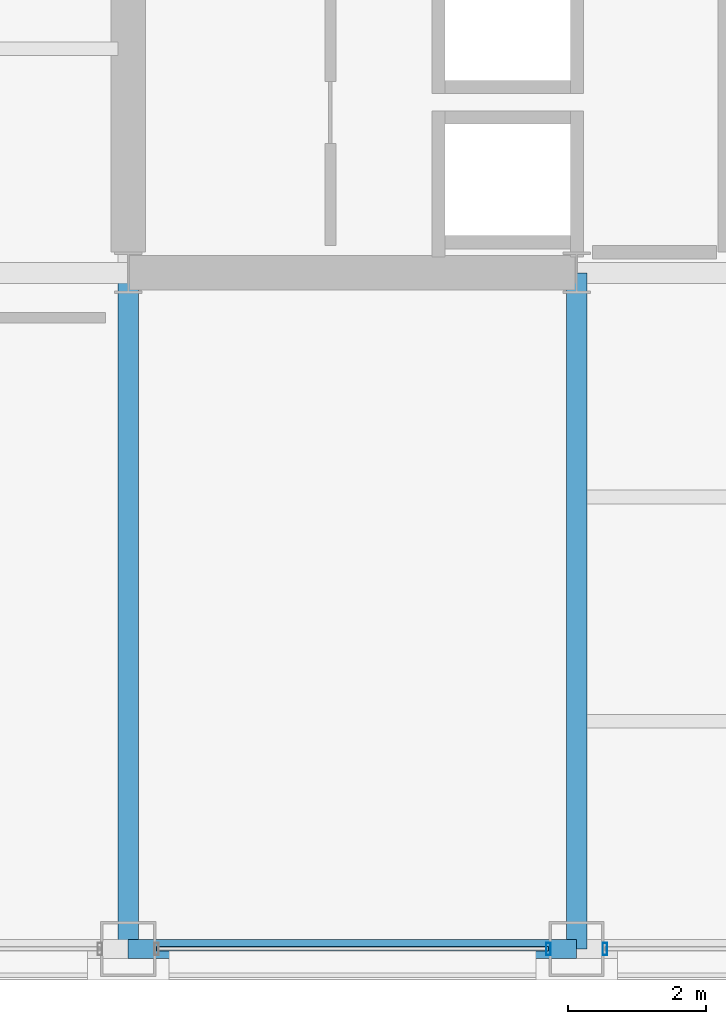
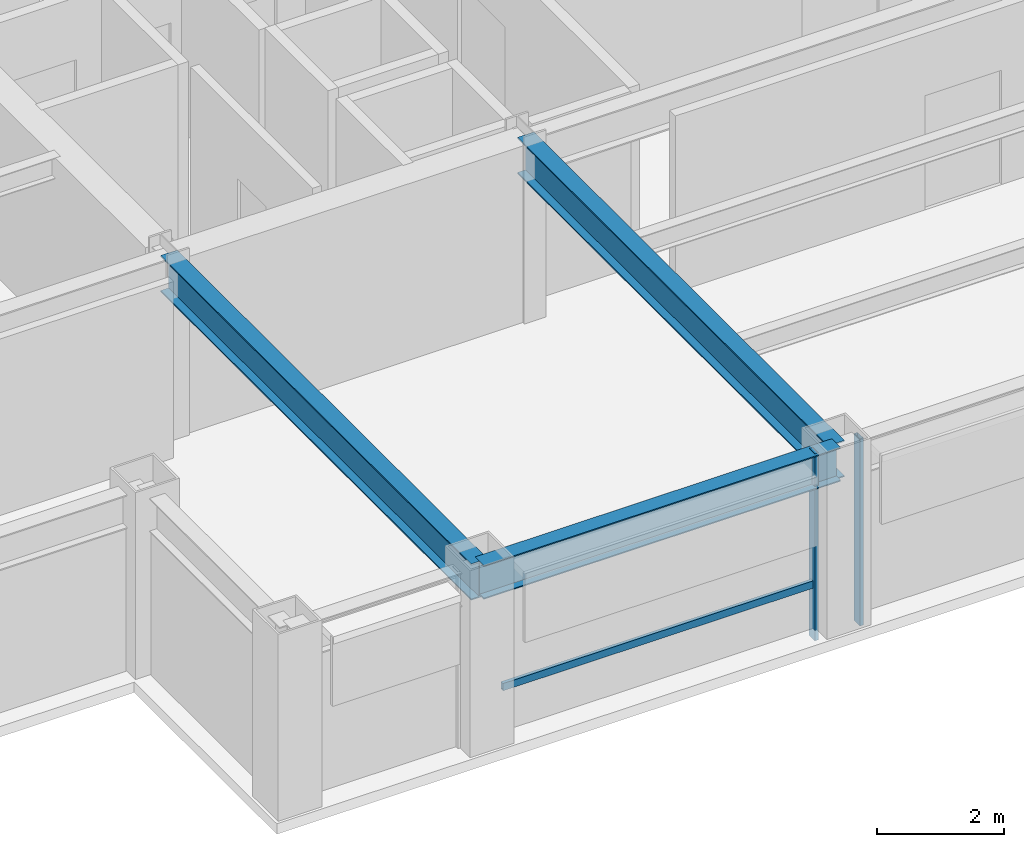
# One storey, part 3 of 29: 3 beams, 3 members, 2 elements without a shape of their own.
"""IFC4 building model written with IfcOpenShell, lengths in metres."""

from ifc_helpers import new_model, si_unit, direction, frame, origin, origin_2d, place, context, subcontext, project, spatial, hollow_rectangle, i_section, extrude, material, layer, layer_set, material_profile, profile_set, type_object, element, aggregate, save


model = new_model("IFC4")

# Units and contexts
model_context = context("Model", 3, precision=1e-05, world=origin(), true_north=direction((0.0, 1.0)))
body_context = subcontext(model_context, "Body", "Model", "MODEL_VIEW")
ifc_project = project(units=[si_unit("LENGTHUNIT", "METRE"), si_unit("AREAUNIT", "SQUARE_METRE"), si_unit("VOLUMEUNIT", "CUBIC_METRE"), si_unit("PLANEANGLEUNIT", "RADIAN"), si_unit("MASSUNIT", "GRAM", prefix="KILO")], contexts=[model_context])

# Site, building, storey
site_placement = place(None, origin())
site = spatial("IfcSite", under=ifc_project, at=site_placement, CompositionType="ELEMENT")
building_placement = place(site_placement, origin())
building = spatial("IfcBuilding", under=site, at=building_placement, Name="Brelmoor Portico Tower", CompositionType="ELEMENT")
storey_placement = place(building_placement, frame((0.0, 0.0, 138.60009765625)))
storey = spatial("IfcBuildingStorey", under=building, at=storey_placement, Name="L36", CompositionType="ELEMENT", Elevation=138.60009765625)

# Beams
ifc_material_1 = material(Name="Steel Q355B", Category="steel")
ifc_material_profile_1 = material_profile(ifc_material_1, i_section(OverallWidth=0.300048828125, OverallDepth=0.699951171875, WebThickness=0.012939453125, FlangeThickness=0.02392578125, at=origin_2d()), Name="HN 700x300x13x24")
ifc_profile_set_1 = profile_set([ifc_material_profile_1], Name="Steel Q355B")
beam_type_1 = type_object("IfcBeamType", Name="BM-PG-700", PredefinedType="BEAM", material=ifc_profile_set_1)
for number, where, z_axis, x_axis, name in (
    (1, (-14.550048828125, -19.550048828125, 3.0498046875), (0.0, 1.0, 0.0), (-1.0, 0.0, 0.0), "L36 Primary Floor Girder PG-01"),
    (2, (-8.050048828125, -19.550048828125, 3.0498046875), (0.0, 1.0, 0.0), (-1.0, 0.0, 0.0), "L36 Primary Floor Girder PG-05"),
):
    element("IfcBeam", number, at=place(storey_placement, frame(where, z_axis=z_axis, x_axis=x_axis)), inside=storey, type_object=beam_type_1, Name=name, PredefinedType="BEAM", context=body_context, shape_type="SweptSolid", body=[
        extrude(i_section(OverallWidth=0.300048828125, OverallDepth=0.699951171875, WebThickness=0.012939453125, FlangeThickness=0.02392578125, at=origin_2d()), origin(), (0.0, 0.0, 1.0), 9.800048828125),
    ])
ifc_material_profile_2 = material_profile(ifc_material_1, i_section(OverallWidth=0.280029296875, OverallDepth=0.64990234375, WebThickness=0.012939453125, FlangeThickness=0.02197265625, at=origin_2d()), Name="HN 650x280x13x22")
ifc_profile_set_2 = profile_set([ifc_material_profile_2], Name="Steel Q355B")
beam_type_2 = type_object("IfcBeamType", Name="BM-SP-650", PredefinedType="SPANDREL", material=ifc_profile_set_2)
beam_placement = place(storey_placement, frame((-14.550048828125, -19.550048828125, 3.074951171875), z_axis=(1.0, 0.0, 0.0), x_axis=(0.0, 1.0, 0.0)))
element("IfcBeam", 3, at=beam_placement, inside=storey, type_object=beam_type_2, Name="L36 Perimeter Spandrel Beam SP-02", PredefinedType="SPANDREL", context=body_context, shape_type="SweptSolid", body=[
    extrude(i_section(OverallWidth=0.280029296875, OverallDepth=0.64990234375, WebThickness=0.012939453125, FlangeThickness=0.02197265625, at=origin_2d()), origin(), (0.0, 0.0, 1.0), 6.5),
])

# Curtain wall, member
ifc_material_2 = material(Name="Anodised Aluminium Alloy 6063-T6", Category="aluminium")
ifc_layer_1 = layer(ifc_material_2, 0.179931640625)
ifc_layer_set_1 = layer_set([ifc_layer_1], Name="Anodised Aluminium Alloy 6063-T6")
curtain_wall_type_1 = type_object("IfcCurtainWallType", Name="CW-TOWER-Z2", PredefinedType="NOTDEFINED", material=ifc_layer_set_1)
curtain_wall_1_placement = place(storey_placement, origin())
curtain_wall_1 = element("IfcCurtainWall", 4, at=curtain_wall_1_placement, inside=storey, type_object=curtain_wall_type_1, Name="L36 Curtain Wall CW-L36-01-2", PredefinedType="NOTDEFINED")
ifc_material_profile_3 = material_profile(ifc_material_2, hollow_rectangle(XDim=0.06494140625, YDim=0.179931640625, WallThickness=0.00390625, at=origin_2d()), Name="ALU MULLION 65x180")
ifc_profile_set_3 = profile_set([ifc_material_profile_3], Name="Anodised Aluminium Alloy 6063-T6")
member_type_1 = type_object("IfcMemberType", Name="MB-CW-MULL-180", PredefinedType="MULLION", material=ifc_profile_set_3)
member_1_placement = place(storey_placement, frame((-8.4599609375, -19.550048828125, -0.2001953125), z_axis=(0.0, 0.0, 1.0), x_axis=(1.0, 0.0, 0.0)))
member_1 = element("IfcMember", 5, at=member_1_placement, type_object=member_type_1, Name="CW-L36-01-2 Mullion 01", PredefinedType="MULLION", context=body_context, shape_type="SweptSolid", body=[
    extrude(hollow_rectangle(XDim=0.06494140625, YDim=0.179931640625, WallThickness=0.00390625, at=origin_2d()), origin(), (0.0, 0.0, 1.0), 3.60009765625),
])

ifc_layer_2 = layer(ifc_material_2, 0.179931640625)
ifc_layer_set_2 = layer_set([ifc_layer_2], Name="Anodised Aluminium Alloy 6063-T6")
curtain_wall_type_2 = type_object("IfcCurtainWallType", Name="CW-TOWER-Z2-XB", PredefinedType="NOTDEFINED", material=ifc_layer_set_2)
curtain_wall_2_placement = place(storey_placement, origin())
curtain_wall_2 = element("IfcCurtainWall", 6, at=curtain_wall_2_placement, inside=storey, type_object=curtain_wall_type_2, Name="L36 Curtain Wall CW-L36-01-3", PredefinedType="NOTDEFINED")
member_2_placement = place(storey_placement, frame((-7.639892578125, -19.550048828125, -0.2001953125), z_axis=(0.0, 0.0, 1.0), x_axis=(1.0, 0.0, 0.0)))
member_2 = element("IfcMember", 7, at=member_2_placement, type_object=member_type_1, Name="CW-L36-01-3 Mullion 00", PredefinedType="MULLION", context=body_context, shape_type="SweptSolid", body=[
    extrude(hollow_rectangle(XDim=0.06494140625, YDim=0.179931640625, WallThickness=0.00390625, at=origin_2d()), origin(), (0.0, 0.0, 1.0), 3.60009765625),
])
aggregate(curtain_wall_2, [member_2])

# Member
ifc_material_profile_4 = material_profile(ifc_material_2, hollow_rectangle(XDim=0.06494140625, YDim=0.139892578125, WallThickness=0.00390625, at=origin_2d()), Name="ALU TRANSOM 65x140")
ifc_profile_set_4 = profile_set([ifc_material_profile_4], Name="Anodised Aluminium Alloy 6063-T6")
member_type_2 = type_object("IfcMemberType", Name="MB-CW-TRAN-140", PredefinedType="USERDEFINED", material=ifc_profile_set_4)
member_3_placement = place(storey_placement, frame((-14.139892578125, -19.550048828125, 0.849853515625), z_axis=(1.0, 0.0, 0.0), x_axis=(0.0, 1.0, 0.0)))
member_3 = element("IfcMember", 8, at=member_3_placement, type_object=member_type_2, Name="CW-L36-01-2 Transom 1-00", ObjectType="TRANSOM", PredefinedType="USERDEFINED", context=body_context, shape_type="SweptSolid", body=[
    extrude(hollow_rectangle(XDim=0.06494140625, YDim=0.139892578125, WallThickness=0.00390625, at=origin_2d()), origin(), (0.0, 0.0, 1.0), 5.679931640625),
])

aggregate(curtain_wall_1, [member_1, member_3])

save(model, "model.ifc")
